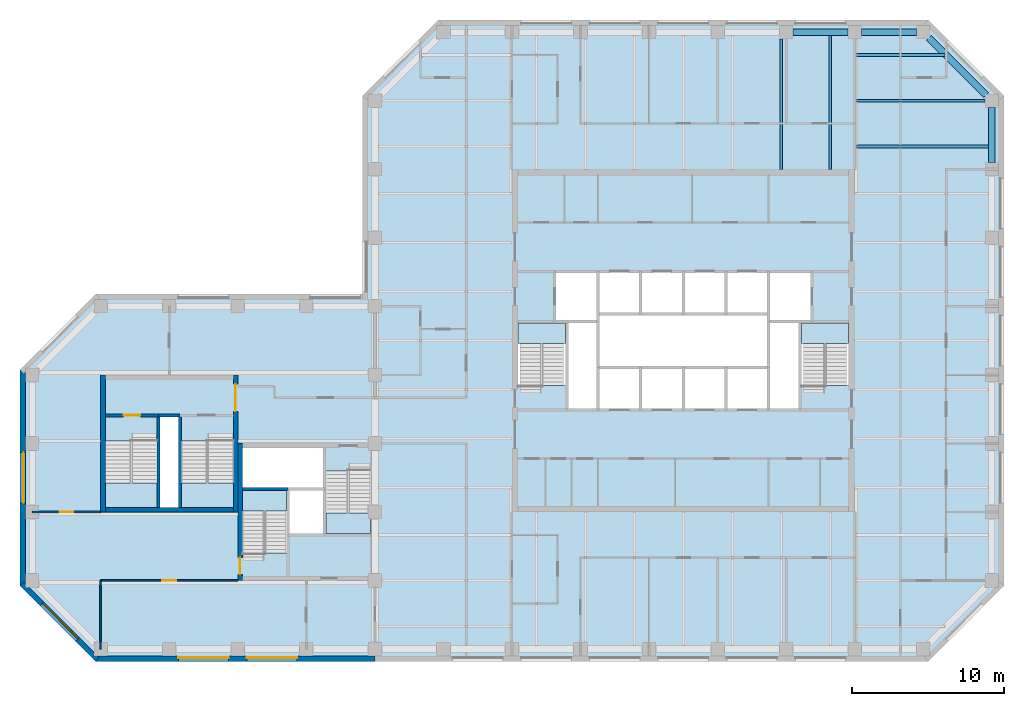
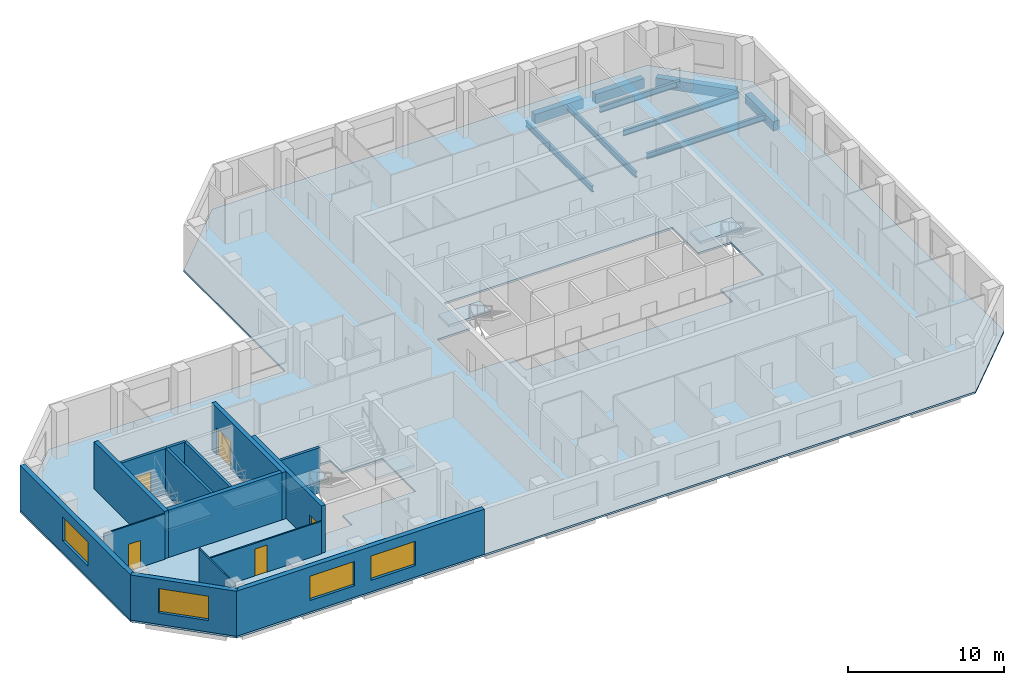
# One storey, part 2 of 9: 15 walls, 9 beams, 7 slabs, 5 doors, 4 windows, 9 openings, 6 elements without a shape of their own.
"""IFC4 building model written with IfcOpenShell, lengths in metres."""

from ifc_helpers import new_model, si_unit, direction, frame, frame_2d, origin, origin_2d, place, context, subcontext, project, spatial, polyline, rectangle, i_section, outline, extrude, material, layer, layer_set, constituent, constituent_set, material_profile, profile_set, type_object, element, fill, aggregate, save


model = new_model("IFC4")

# Units and contexts
model_context = context("Model", 3, precision=1e-05, world=origin(), true_north=direction((0.0, 1.0)))
body_context = subcontext(model_context, "Body", "Model", "MODEL_VIEW")
ifc_project = project(units=[si_unit("LENGTHUNIT", "METRE"), si_unit("AREAUNIT", "SQUARE_METRE"), si_unit("VOLUMEUNIT", "CUBIC_METRE"), si_unit("PLANEANGLEUNIT", "RADIAN"), si_unit("MASSUNIT", "GRAM", prefix="KILO")], contexts=[model_context])

# Site, building, storey
site_placement = place(None, origin())
site = spatial("IfcSite", under=ifc_project, at=site_placement, CompositionType="ELEMENT")
building_placement = place(site_placement, origin())
building = spatial("IfcBuilding", under=site, at=building_placement, Name="Quoin Convention Tower", CompositionType="ELEMENT")
storey_placement = place(building_placement, frame((0.0, 0.0, 151.39990234375)))
storey = spatial("IfcBuildingStorey", under=building, at=storey_placement, Name="L39", CompositionType="ELEMENT", Elevation=151.39990234375)

# Beams
ifc_material_1 = material(Name="Steel Grade 300", Category="steel")
ifc_material_profile_1 = material_profile(ifc_material_1, i_section(OverallWidth=0.18994140625, OverallDepth=0.4541015625, WebThickness=0.008544921875, FlangeThickness=0.0126953125, FilletRadius=0.011474609375, at=origin_2d()), Name="460UB67.1")
ifc_profile_set_1 = profile_set([ifc_material_profile_1], Name="Steel Grade 300")
beam_type_1 = type_object("IfcBeamType", Name="460UB67.1", PredefinedType="BEAM", material=ifc_profile_set_1)
beam_1_placement = place(storey_placement, frame((62.6787109375, 72.0, -0.376953125), z_axis=(0.0, 1.0, 0.0), x_axis=(-1.0, 0.0, 0.0)))
element("IfcBeam", 1, at=beam_1_placement, inside=storey, type_object=beam_type_1, Name="bm-L39-T1N5", PredefinedType="BEAM", context=body_context, shape_type="SweptSolid", body=[
    extrude(i_section(OverallWidth=0.18994140625, OverallDepth=0.4541015625, WebThickness=0.008544921875, FlangeThickness=0.0126953125, FilletRadius=0.011474609375, at=origin_2d()), origin(), (0.0, 0.0, 1.0), 8.550048828125),
])
beam_2_placement = place(storey_placement, frame((65.892822265625, 72.0, -0.376953125), z_axis=(0.0, 1.0, 0.0), x_axis=(-1.0, 0.0, 0.0)))
element("IfcBeam", 2, at=beam_2_placement, inside=storey, type_object=beam_type_1, Name="bm-L39-T1N6", PredefinedType="BEAM", context=body_context, shape_type="SweptSolid", body=[
    extrude(i_section(OverallWidth=0.18994140625, OverallDepth=0.4541015625, WebThickness=0.008544921875, FlangeThickness=0.0126953125, FilletRadius=0.011474609375, at=origin_2d()), origin(), (0.0, 0.0, 1.0), 8.77490234375),
])
beam_3_placement = place(storey_placement, frame((67.5, 79.5, -0.376953125), z_axis=(1.0, 0.0, 0.0), x_axis=(0.0, 1.0, 0.0)))
element("IfcBeam", 3, at=beam_3_placement, inside=storey, type_object=beam_type_1, Name="bm-L39-T1NE0", PredefinedType="BEAM", context=body_context, shape_type="SweptSolid", body=[
    extrude(i_section(OverallWidth=0.18994140625, OverallDepth=0.4541015625, WebThickness=0.008544921875, FlangeThickness=0.0126953125, FilletRadius=0.011474609375, at=origin_2d()), origin(), (0.0, 0.0, 1.0), 5.935791015625),
])
beam_4_placement = place(storey_placement, frame((67.5, 76.5, -0.376953125), z_axis=(1.0, 0.0, 0.0), x_axis=(0.0, 1.0, 0.0)))
element("IfcBeam", 4, at=beam_4_placement, inside=storey, type_object=beam_type_1, Name="bm-L39-T1NE1", PredefinedType="BEAM", context=body_context, shape_type="SweptSolid", body=[
    extrude(i_section(OverallWidth=0.18994140625, OverallDepth=0.4541015625, WebThickness=0.008544921875, FlangeThickness=0.0126953125, FilletRadius=0.011474609375, at=origin_2d()), origin(), (0.0, 0.0, 1.0), 8.550048828125),
])
beam_5_placement = place(storey_placement, frame((67.5, 73.5, -0.376953125), z_axis=(1.0, 0.0, 0.0), x_axis=(0.0, 1.0, 0.0)))
element("IfcBeam", 5, at=beam_5_placement, inside=storey, type_object=beam_type_1, Name="bm-L39-T1NE2", PredefinedType="BEAM", context=body_context, shape_type="SweptSolid", body=[
    extrude(i_section(OverallWidth=0.18994140625, OverallDepth=0.4541015625, WebThickness=0.008544921875, FlangeThickness=0.0126953125, FilletRadius=0.011474609375, at=origin_2d()), origin(), (0.0, 0.0, 1.0), 8.77490234375),
])
ifc_material_2 = material(Name="Concrete C50", Category="concrete")
ifc_material_profile_2 = material_profile(ifc_material_2, rectangle(XDim=0.449951171875, YDim=0.75, at=origin_2d()), Name="RC 450x750")
ifc_profile_set_2 = profile_set([ifc_material_profile_2], Name="Concrete C50")
beam_type_2 = type_object("IfcBeamType", Name="RC 450x750 C50", PredefinedType="SPANDREL", material=ifc_profile_set_2)
beam_6_placement = place(storey_placement, frame((76.5, 72.449951171875, -0.52490234375), z_axis=(0.0, 1.0, 0.0), x_axis=(-1.0, 0.0, 0.0)))
element("IfcBeam", 6, at=beam_6_placement, inside=storey, type_object=beam_type_2, Name="spd-L39-76500_72000-76500_76500", PredefinedType="SPANDREL", context=body_context, shape_type="SweptSolid", body=[
    extrude(rectangle(XDim=0.449951171875, YDim=0.75, at=origin_2d()), origin(), (0.0, 0.0, 1.0), 3.60009765625),
])
beam_7_placement = place(storey_placement, frame((76.135009765625, 76.864990234375, -0.52490234375), z_axis=(-0.707106781187, 0.707106781187, 0.0), x_axis=(-0.707106781187, -0.707106781187, 0.0)))
element("IfcBeam", 7, at=beam_7_placement, inside=storey, type_object=beam_type_2, Name="spd-L39-76500_76500-72000_81000", PredefinedType="SPANDREL", context=body_context, shape_type="SweptSolid", body=[
    extrude(rectangle(XDim=0.449951171875, YDim=0.75, at=origin_2d()), origin(), (0.0, 0.0, 1.0), 5.33154296875),
])
for number, where, z_axis, x_axis, name in (
    (8, (71.550048828125, 81.0, -0.52490234375), (-1.0, 0.0, 0.0), (0.0, -1.0, 0.0), "spd-L39-72000_81000-67500_81000"),
    (9, (67.050048828125, 81.0, -0.52490234375), (-1.0, 0.0, 0.0), (0.0, -1.0, 0.0), "spd-L39-67500_81000-63000_81000"),
):
    element("IfcBeam", number, at=place(storey_placement, frame(where, z_axis=z_axis, x_axis=x_axis)), inside=storey, type_object=beam_type_2, Name=name, PredefinedType="SPANDREL", context=body_context, shape_type="SweptSolid", body=[
        extrude(rectangle(XDim=0.449951171875, YDim=0.75, at=origin_2d()), origin(), (0.0, 0.0, 1.0), 3.60009765625),
    ])

# Slab
ifc_material_3 = material(Name="Concrete C40", Category="concrete")
ifc_layer_1 = layer(ifc_material_3, 0.14990234375)
ifc_layer_set_1 = layer_set([ifc_layer_1], Name="Concrete C40")
slab_type_1 = type_object("IfcSlabType", Name="COMPOSITE SLAB 150 C40", PredefinedType="FLOOR", material=ifc_layer_set_1)
slab_1_placement = place(storey_placement, frame((0.0, 0.0, -0.14990234375)))
element("IfcSlab", 10, at=slab_1_placement, inside=storey, type_object=slab_type_1, Name="slb-L39", PredefinedType="FLOOR", context=body_context, shape_type="SweptSolid", body=[
    extrude(outline(polyline([(17.668701171875, 39.699951171875), (12.699951171875, 44.668701171875), (12.699951171875, 58.831298828125), (17.668701171875, 63.800048828125), (35.199951171875, 63.800048828125), (35.199951171875, 76.831298828125), (40.168701171875, 81.800048828125), (72.331298828125, 81.800048828125), (77.300048828125, 76.831298828125), (77.300048828125, 44.668701171875), (72.331298828125, 39.699951171875), (17.668701171875, 39.699951171875)]), holes=[polyline([(27.300048828125, 51.0), (27.300048828125, 46.800537109375), (30.300048828125, 46.800537109375), (30.300048828125, 48.0), (32.699951171875, 48.0), (35.699951171875, 48.0), (35.699951171875, 52.199462890625), (32.699951171875, 52.199462890625), (32.699951171875, 53.699951171875), (27.300048828125, 53.699951171875), (27.300048828125, 51.0)]), polyline([(18.300048828125, 49.800048828125), (21.800048828125, 49.800048828125), (23.199951171875, 49.800048828125), (26.699951171875, 49.800048828125), (26.699951171875, 54.1494140625), (23.199951171875, 54.1494140625), (23.199951171875, 55.85009765625), (21.800048828125, 55.85009765625), (21.800048828125, 54.1494140625), (18.300048828125, 54.1494140625), (18.300048828125, 49.800048828125)]), polyline([(48.60009765625, 56.199951171875), (50.64990234375, 56.199951171875), (53.449951171875, 56.199951171875), (56.25, 56.199951171875), (59.050048828125, 56.199951171875), (61.85009765625, 56.199951171875), (63.89990234375, 56.199951171875), (63.89990234375, 57.800537109375), (67.10009765625, 57.800537109375), (67.10009765625, 62.0), (64.699951171875, 62.0), (64.699951171875, 65.300048828125), (61.85009765625, 65.300048828125), (59.050048828125, 65.300048828125), (56.25, 65.300048828125), (53.449951171875, 65.300048828125), (50.64990234375, 65.300048828125), (47.800048828125, 65.300048828125), (47.800048828125, 62.0), (45.39990234375, 62.0), (45.39990234375, 57.800537109375), (48.60009765625, 57.800537109375), (48.60009765625, 56.199951171875)])]), origin(), (0.0, 0.0, 1.0), 0.14990234375),
])

# Stair, slab
stair_type_1 = type_object("IfcStairType", Name="Exit stair two-flight 1350", PredefinedType="HALF_TURN_STAIR", material=ifc_material_3)
stair_1_placement = place(storey_placement, origin())
stair_1 = element("IfcStair", 11, at=stair_1_placement, inside=storey, type_object=stair_type_1, Name="SD1 L39", PredefinedType="HALF_TURN_STAIR")
ifc_layer_2 = layer(ifc_material_3, 0.199951171875)
ifc_layer_set_2 = layer_set([ifc_layer_2], Name="Concrete C40")
slab_type_2 = type_object("IfcSlabType", Name="Stair landing 200", PredefinedType="LANDING", material=ifc_layer_set_2)
slab_2_placement = place(storey_placement, frame((0.0, 0.0, 1.79248046875)))
slab_2 = element("IfcSlab", 12, at=slab_2_placement, type_object=slab_type_2, Name="ST1 landing 1", PredefinedType="LANDING", context=body_context, shape_type="SweptSolid", body=[
    extrude(outline(polyline([(45.39990234375, 60.550048828125), (48.5, 60.550048828125), (48.5, 61.89990234375), (45.39990234375, 61.89990234375), (45.39990234375, 60.550048828125)])), origin(), (0.0, 0.0, 1.0), 0.199951171875),
])
aggregate(stair_1, [slab_2])

stair_2_placement = place(storey_placement, origin())
stair_2 = element("IfcStair", 13, at=stair_2_placement, inside=storey, type_object=stair_type_1, Name="SD2 L39", PredefinedType="HALF_TURN_STAIR")
slab_3_placement = place(storey_placement, frame((0.0, 0.0, 1.79248046875)))
slab_3 = element("IfcSlab", 14, at=slab_3_placement, type_object=slab_type_2, Name="ST2 landing 1", PredefinedType="LANDING", context=body_context, shape_type="SweptSolid", body=[
    extrude(outline(polyline([(64.0, 60.550048828125), (67.10009765625, 60.550048828125), (67.10009765625, 61.89990234375), (64.0, 61.89990234375), (64.0, 60.550048828125)])), origin(), (0.0, 0.0, 1.0), 0.199951171875),
])
aggregate(stair_2, [slab_3])

stair_3_placement = place(storey_placement, origin())
stair_3 = element("IfcStair", 15, at=stair_3_placement, inside=storey, type_object=stair_type_1, Name="SD3 L39", PredefinedType="HALF_TURN_STAIR")
slab_4_placement = place(storey_placement, frame((0.0, 0.0, 1.79248046875)))
slab_4 = element("IfcSlab", 16, at=slab_4_placement, type_object=slab_type_2, Name="ST3 landing 1", PredefinedType="LANDING", context=body_context, shape_type="SweptSolid", body=[
    extrude(outline(polyline([(27.300048828125, 49.550048828125), (30.199951171875, 49.550048828125), (30.199951171875, 50.89990234375), (27.300048828125, 50.89990234375), (27.300048828125, 49.550048828125)])), origin(), (0.0, 0.0, 1.0), 0.199951171875),
])
aggregate(stair_3, [slab_4])

stair_4_placement = place(storey_placement, origin())
stair_4 = element("IfcStair", 17, at=stair_4_placement, inside=storey, type_object=stair_type_1, Name="SD4 L39", PredefinedType="HALF_TURN_STAIR")
slab_5_placement = place(storey_placement, frame((0.0, 0.0, 1.79248046875)))
slab_5 = element("IfcSlab", 18, at=slab_5_placement, type_object=slab_type_2, Name="ST4 landing 1", PredefinedType="LANDING", context=body_context, shape_type="SweptSolid", body=[
    extrude(outline(polyline([(35.699951171875, 49.449951171875), (32.800048828125, 49.449951171875), (32.800048828125, 48.10009765625), (35.699951171875, 48.10009765625), (35.699951171875, 49.449951171875)])), origin(), (0.0, 0.0, 1.0), 0.199951171875),
])
aggregate(stair_4, [slab_5])

stair_type_2 = type_object("IfcStairType", Name="Exit stair two-flight 1600", PredefinedType="HALF_TURN_STAIR", material=ifc_material_3)
stair_5_placement = place(storey_placement, origin())
stair_5 = element("IfcStair", 19, at=stair_5_placement, inside=storey, type_object=stair_type_2, Name="SD11 L39", PredefinedType="HALF_TURN_STAIR")
slab_6_placement = place(storey_placement, frame((0.0, 0.0, 1.79248046875)))
slab_6 = element("IfcSlab", 20, at=slab_6_placement, type_object=slab_type_2, Name="ST11 landing 1", PredefinedType="LANDING", context=body_context, shape_type="SweptSolid", body=[
    extrude(outline(polyline([(21.699951171875, 51.39990234375), (18.300048828125, 51.39990234375), (18.300048828125, 49.800048828125), (21.699951171875, 49.800048828125), (21.699951171875, 51.39990234375)])), origin(), (0.0, 0.0, 1.0), 0.199951171875),
])
aggregate(stair_5, [slab_6])

stair_6_placement = place(storey_placement, origin())
stair_6 = element("IfcStair", 21, at=stair_6_placement, inside=storey, type_object=stair_type_2, Name="SD12 L39", PredefinedType="HALF_TURN_STAIR")
slab_7_placement = place(storey_placement, frame((0.0, 0.0, 1.79248046875)))
slab_7 = element("IfcSlab", 22, at=slab_7_placement, type_object=slab_type_2, Name="ST12 landing 1", PredefinedType="LANDING", context=body_context, shape_type="SweptSolid", body=[
    extrude(outline(polyline([(26.699951171875, 51.39990234375), (23.300048828125, 51.39990234375), (23.300048828125, 49.800048828125), (26.699951171875, 49.800048828125), (26.699951171875, 51.39990234375)])), origin(), (0.0, 0.0, 1.0), 0.199951171875),
])
aggregate(stair_6, [slab_7])

# Wall, opening, window
ifc_material_4 = material(Name="Brick masonry", Category="masonry")
ifc_layer_3 = layer(ifc_material_4, 0.35009765625)
ifc_layer_set_3 = layer_set([ifc_layer_3], Name="Brick masonry")
wall_type_1 = type_object("IfcWallType", Name="Brick facade wall", PredefinedType="STANDARD", material=ifc_layer_set_3)
wall_1_placement = place(storey_placement, frame((12.875, 58.831298828125, 0.0), z_axis=(0.0, 0.0, 1.0), x_axis=(0.0, -1.0, 0.0)))
wall_1 = element("IfcWall", 23, at=wall_1_placement, inside=storey, type_object=wall_type_1, Name="fw-L39-13500_58500", PredefinedType="STANDARD", context=body_context, shape_type="SweptSolid", body=[
    extrude(rectangle(XDim=14.16259765625, YDim=0.35009765625, at=frame_2d((7.081298828125, 0.0))), origin(), (0.0, 0.0, 1.0), 3.525146484375),
])
opening_1_placement = place(wall_1_placement, frame((5.431396484375, 0.0, 0.89990234375)))
opening_1 = element("IfcOpeningElement", 24, at=opening_1_placement, cuts=wall_1, Name="Opening W-02", PredefinedType="OPENING", context=body_context, shape_type="SweptSolid", body=[
    extrude(rectangle(XDim=3.300048828125, YDim=1.89990234375, at=frame_2d((1.64990234375, 0.949951171875))), frame((0.0, 0.18505859375, 0.0), z_axis=(0.0, -1.0, 0.0), x_axis=(1.0, 0.0, 0.0)), (0.0, 0.0, 1.0), 0.3701171875),
])
ifc_material_5 = material(Name="Aluminium", Category="aluminium")
ifc_constituent_1 = constituent(ifc_material_5, Name="Frame")
ifc_material_6 = material(Name="Insulated glass", Category="glass")
ifc_constituent_2 = constituent(ifc_material_6, Name="Glazing")
ifc_constituent_set = constituent_set(constituents=[ifc_constituent_1, ifc_constituent_2], Name="Aluminium")
window_type = type_object("IfcWindowType", Name="Office window", PartitioningType="DOUBLE_PANEL_VERTICAL", PredefinedType="WINDOW", material=ifc_constituent_set)
window_1_placement = place(opening_1_placement, origin())
window_1 = element("IfcWindow", 25, at=window_1_placement, inside=storey, type_object=window_type, Name="win-L39-12875_51750", OverallHeight=1.89990234375, OverallWidth=3.300048828125, PartitioningType="SINGLE_PANEL", PredefinedType="WINDOW", context=body_context, shape_type="SweptSolid", body=[
    extrude(rectangle(XDim=3.300048828125, YDim=1.89990234375, at=frame_2d((1.64990234375, 0.949951171875))), frame((0.0, 0.0849609375, 0.0), z_axis=(0.0, -1.0, 0.0), x_axis=(1.0, 0.0, 0.0)), (0.0, 0.0, 1.0), 0.06005859375),
])
fill(opening_1, window_1)

wall_2_placement = place(storey_placement, frame((12.82373046875, 44.79248046875, 0.0), z_axis=(0.0, 0.0, 1.0), x_axis=(0.707106781187, -0.707106781187, 0.0)))
wall_2 = element("IfcWall", 26, at=wall_2_placement, inside=storey, type_object=wall_type_1, Name="fw-L39-13500_45000", PredefinedType="STANDARD", context=body_context, shape_type="SweptSolid", body=[
    extrude(rectangle(XDim=7.02685546875, YDim=0.35009765625, at=frame_2d((3.513427734375, 0.0))), origin(), (0.0, 0.0, 1.0), 3.525146484375),
])
opening_2_placement = place(wall_2_placement, frame((1.86328125, 0.0, 0.89990234375)))
opening_2 = element("IfcOpeningElement", 27, at=opening_2_placement, cuts=wall_2, Name="Opening W-02", PredefinedType="OPENING", context=body_context, shape_type="SweptSolid", body=[
    extrude(rectangle(XDim=3.300048828125, YDim=1.89990234375, at=frame_2d((1.64990234375, 0.949951171875))), frame((0.0, 0.18505859375, 0.0), z_axis=(0.0, -1.0, 0.0), x_axis=(1.0, 0.0, 0.0)), (0.0, 0.0, 1.0), 0.3701171875),
])
window_2_placement = place(opening_2_placement, origin())
window_2 = element("IfcWindow", 28, at=window_2_placement, inside=storey, type_object=window_type, Name="win-L39-15308_42308", OverallHeight=1.89990234375, OverallWidth=3.300048828125, PartitioningType="SINGLE_PANEL", PredefinedType="WINDOW", context=body_context, shape_type="SweptSolid", body=[
    extrude(rectangle(XDim=3.300048828125, YDim=1.89990234375, at=frame_2d((1.64990234375, 0.949951171875))), frame((0.0, 0.0849609375, 0.0), z_axis=(0.0, -1.0, 0.0), x_axis=(1.0, 0.0, 0.0)), (0.0, 0.0, 1.0), 0.06005859375),
])
fill(opening_2, window_2)

# Wall, openings, windows
wall_3_placement = place(storey_placement, frame((17.668701171875, 39.875, 0.0), z_axis=(0.0, 0.0, 1.0), x_axis=(1.0, 0.0, 0.0)))
wall_3 = element("IfcWall", 29, at=wall_3_placement, inside=storey, type_object=wall_type_1, Name="fw-L39-18000_40500", PredefinedType="STANDARD", context=body_context, shape_type="SweptSolid", body=[
    extrude(rectangle(XDim=18.331298828125, YDim=0.35009765625, at=frame_2d((9.16552734375, 0.0))), origin(), (0.0, 0.0, 1.0), 3.525146484375),
])
opening_3_placement = place(wall_3_placement, frame((5.431396484375, 0.0, 0.89990234375)))
opening_3 = element("IfcOpeningElement", 30, at=opening_3_placement, cuts=wall_3, Name="Opening W-02", PredefinedType="OPENING", context=body_context, shape_type="SweptSolid", body=[
    extrude(rectangle(XDim=3.300048828125, YDim=1.89990234375, at=frame_2d((1.64990234375, 0.949951171875))), frame((0.0, 0.18505859375, 0.0), z_axis=(0.0, -1.0, 0.0), x_axis=(1.0, 0.0, 0.0)), (0.0, 0.0, 1.0), 0.3701171875),
])
opening_4_placement = place(wall_3_placement, frame((9.931396484375, 0.0, 0.89990234375)))
opening_4 = element("IfcOpeningElement", 31, at=opening_4_placement, cuts=wall_3, Name="Opening W-02", PredefinedType="OPENING", context=body_context, shape_type="SweptSolid", body=[
    extrude(rectangle(XDim=3.300048828125, YDim=1.89990234375, at=frame_2d((1.64990234375, 0.949951171875))), frame((0.0, 0.18505859375, 0.0), z_axis=(0.0, -1.0, 0.0), x_axis=(1.0, 0.0, 0.0)), (0.0, 0.0, 1.0), 0.3701171875),
])
window_3_placement = place(opening_3_placement, origin())
window_3 = element("IfcWindow", 32, at=window_3_placement, inside=storey, type_object=window_type, Name="win-L39-24750_39875", OverallHeight=1.89990234375, OverallWidth=3.300048828125, PartitioningType="SINGLE_PANEL", PredefinedType="WINDOW", context=body_context, shape_type="SweptSolid", body=[
    extrude(rectangle(XDim=3.300048828125, YDim=1.89990234375, at=frame_2d((1.64990234375, 0.949951171875))), frame((0.0, 0.0849609375, 0.0), z_axis=(0.0, -1.0, 0.0), x_axis=(1.0, 0.0, 0.0)), (0.0, 0.0, 1.0), 0.06005859375),
])
fill(opening_3, window_3)
window_4_placement = place(opening_4_placement, origin())
window_4 = element("IfcWindow", 33, at=window_4_placement, inside=storey, type_object=window_type, Name="win-L39-29250_39875", OverallHeight=1.89990234375, OverallWidth=3.300048828125, PartitioningType="SINGLE_PANEL", PredefinedType="WINDOW", context=body_context, shape_type="SweptSolid", body=[
    extrude(rectangle(XDim=3.300048828125, YDim=1.89990234375, at=frame_2d((1.64990234375, 0.949951171875))), frame((0.0, 0.0849609375, 0.0), z_axis=(0.0, -1.0, 0.0), x_axis=(1.0, 0.0, 0.0)), (0.0, 0.0, 1.0), 0.06005859375),
])
fill(opening_4, window_4)

# Walls
ifc_layer_4 = layer(ifc_material_2, 0.199951171875)
ifc_layer_set_4 = layer_set([ifc_layer_4], Name="Concrete C50")
wall_type_2 = type_object("IfcWallType", Name="Core shaft wall", PredefinedType="SOLIDWALL", material=ifc_layer_set_4)
wall_4_placement = place(storey_placement, frame((27.300048828125, 51.0, 0.0), z_axis=(0.0, 0.0, 1.0), x_axis=(1.0, 0.0, 0.0)))
element("IfcWall", 34, at=wall_4_placement, inside=storey, type_object=wall_type_2, Name="cr-P2-L39-h6000_300", PredefinedType="SOLIDWALL", context=body_context, shape_type="SweptSolid", body=[
    extrude(rectangle(XDim=3.0, YDim=0.199951171875, at=frame_2d((1.5, 0.0))), origin(), (0.0, 0.0, 1.0), 3.550048828125),
])
wall_5_placement = place(storey_placement, frame((21.800048828125, 55.85009765625, 0.0), z_axis=(0.0, 0.0, 1.0), x_axis=(1.0, 0.0, 0.0)))
element("IfcWall", 35, at=wall_5_placement, inside=storey, type_object=wall_type_2, Name="cr-P6-L39-h6350_3800", PredefinedType="SOLIDWALL", context=body_context, shape_type="SweptSolid", body=[
    extrude(rectangle(XDim=1.39990234375, YDim=0.199951171875, at=frame_2d((0.699951171875, 0.0))), origin(), (0.0, 0.0, 1.0), 3.550048828125),
])

# Wall, opening, door
wall_6_placement = place(storey_placement, frame((18.300048828125, 55.85009765625, 0.0), z_axis=(0.0, 0.0, 1.0), x_axis=(1.0, 0.0, 0.0)))
wall_6 = element("IfcWall", 36, at=wall_6_placement, inside=storey, type_object=wall_type_2, Name="cr-P6-L39-h6350_300", PredefinedType="SOLIDWALL", context=body_context, shape_type="SweptSolid", body=[
    extrude(rectangle(XDim=3.5, YDim=0.199951171875, at=frame_2d((1.75, 0.0))), origin(), (0.0, 0.0, 1.0), 3.550048828125),
])
opening_5_placement = place(wall_6_placement, frame((1.199951171875, 0.0, 0.0)))
opening_5 = element("IfcOpeningElement", 37, at=opening_5_placement, cuts=wall_6, Name="Opening SD11", PredefinedType="OPENING", context=body_context, shape_type="SweptSolid", body=[
    extrude(rectangle(XDim=1.10009765625, YDim=2.10009765625, at=frame_2d((0.550048828125, 1.050048828125))), frame((0.0, 0.10986328125, 0.0), z_axis=(0.0, -1.0, 0.0), x_axis=(1.0, 0.0, 0.0)), (0.0, 0.0, 1.0), 0.219970703125),
])
ifc_material_7 = material(Name="Steel door leaf", Category="steel")
door_type_1 = type_object("IfcDoorType", Name="Stair door 1100 x 2100", OperationType="SINGLE_SWING_RIGHT", PredefinedType="DOOR", material=ifc_material_7)
door_1_placement = place(opening_5_placement, origin())
door_1 = element("IfcDoor", 38, at=door_1_placement, inside=storey, type_object=door_type_1, Name="cd-P6-L39-SA-R2-SD11", OperationType="SINGLE_SWING_RIGHT", OverallHeight=2.10009765625, OverallWidth=1.10009765625, PredefinedType="DOOR", context=body_context, shape_type="SweptSolid", body=[
    extrude(rectangle(XDim=1.10009765625, YDim=2.10009765625, at=frame_2d((0.550048828125, 1.050048828125))), frame((0.0, 0.02490234375, 0.0), z_axis=(0.0, -1.0, 0.0), x_axis=(1.0, 0.0, 0.0)), (0.0, 0.0, 1.0), 0.050048828125),
])
fill(opening_5, door_1)

# Walls
for number, where, z_axis, x_axis, name in (
    (39, (21.800048828125, 49.800048828125, 0.0), (0.0, 0.0, 1.0), (0.0, 1.0, 0.0), "cr-P6-L39-v3800_300"),
    (40, (23.199951171875, 49.800048828125, 0.0), (0.0, 0.0, 1.0), (0.0, 1.0, 0.0), "cr-P6-L39-v5200_300"),
):
    element("IfcWall", number, at=place(storey_placement, frame(where, z_axis=z_axis, x_axis=x_axis)), inside=storey, type_object=wall_type_2, Name=name, PredefinedType="SOLIDWALL", context=body_context, shape_type="SweptSolid", body=[
        extrude(rectangle(XDim=6.050048828125, YDim=0.199951171875, at=frame_2d((3.02490234375, 0.0))), origin(), (0.0, 0.0, 1.0), 3.550048828125),
    ])

# Wall, opening, door
ifc_layer_5 = layer(ifc_material_2, 0.300048828125)
ifc_layer_set_5 = layer_set([ifc_layer_5], Name="Concrete C50")
wall_type_3 = type_object("IfcWallType", Name="RC CORE WALL 300 C50", PredefinedType="SHEAR", material=ifc_layer_set_5)
wall_7_placement = place(storey_placement, frame((27.14990234375, 45.0, 0.0), z_axis=(0.0, 0.0, 1.0), x_axis=(0.0, 1.0, 0.0)))
wall_7 = element("IfcWall", 41, at=wall_7_placement, inside=storey, type_object=wall_type_3, Name="cwl-P2-L39-W", PredefinedType="SHEAR", context=body_context, shape_type="SweptSolid", body=[
    extrude(rectangle(XDim=9.0, YDim=0.300048828125, at=frame_2d((4.5, 0.0))), origin(), (0.0, 0.0, 1.0), 3.7001953125),
])
opening_6_placement = place(wall_7_placement, frame((0.39990234375, 0.0, 0.0)))
opening_6 = element("IfcOpeningElement", 42, at=opening_6_placement, cuts=wall_7, Name="Opening SD3", PredefinedType="OPENING", context=body_context, shape_type="SweptSolid", body=[
    extrude(rectangle(XDim=1.10009765625, YDim=2.10009765625, at=frame_2d((0.550048828125, 1.050048828125))), frame((0.0, 0.159912109375, 0.0), z_axis=(0.0, -1.0, 0.0), x_axis=(1.0, 0.0, 0.0)), (0.0, 0.0, 1.0), 0.320068359375),
])
door_2_placement = place(opening_6_placement, frame((1.10009765625, 0.0, 0.0), z_axis=(0.0, 0.0, 1.0), x_axis=(-1.0, 0.0, 0.0)))
door_2 = element("IfcDoor", 43, at=door_2_placement, inside=storey, type_object=door_type_1, Name="cd-P2-L39-SA-W", OperationType="SINGLE_SWING_RIGHT", OverallHeight=2.10009765625, OverallWidth=1.10009765625, PredefinedType="DOOR", context=body_context, shape_type="SweptSolid", body=[
    extrude(rectangle(XDim=1.10009765625, YDim=2.10009765625, at=frame_2d((0.550048828125, 1.050048828125))), frame((0.0, 0.02490234375, 0.0), z_axis=(0.0, -1.0, 0.0), x_axis=(1.0, 0.0, 0.0)), (0.0, 0.0, 1.0), 0.050048828125),
])
fill(opening_6, door_2)

# Walls
wall_8_placement = place(storey_placement, frame((18.300048828125, 49.64990234375, 0.0), z_axis=(0.0, 0.0, 1.0), x_axis=(1.0, 0.0, 0.0)))
element("IfcWall", 44, at=wall_8_placement, inside=storey, type_object=wall_type_3, Name="cwl-P6-L39-S", PredefinedType="SHEAR", context=body_context, shape_type="SweptSolid", body=[
    extrude(rectangle(XDim=8.39990234375, YDim=0.300048828125, at=frame_2d((4.199951171875, 0.0))), origin(), (0.0, 0.0, 1.0), 3.7001953125),
])
wall_9_placement = place(storey_placement, frame((18.14990234375, 49.5, 0.0), z_axis=(0.0, 0.0, 1.0), x_axis=(0.0, 1.0, 0.0)))
element("IfcWall", 45, at=wall_9_placement, inside=storey, type_object=wall_type_3, Name="cwl-P6-L39-W", PredefinedType="SHEAR", context=body_context, shape_type="SweptSolid", body=[
    extrude(rectangle(XDim=9.0, YDim=0.300048828125, at=frame_2d((4.5, 0.0))), origin(), (0.0, 0.0, 1.0), 3.7001953125),
])

# Wall, opening, door
wall_10_placement = place(storey_placement, frame((26.85009765625, 49.5, 0.0), z_axis=(0.0, 0.0, 1.0), x_axis=(0.0, 1.0, 0.0)))
wall_10 = element("IfcWall", 46, at=wall_10_placement, inside=storey, type_object=wall_type_3, Name="cwl-P6-L39-E", PredefinedType="SHEAR", context=body_context, shape_type="SweptSolid", body=[
    extrude(rectangle(XDim=9.0, YDim=0.300048828125, at=frame_2d((4.5, 0.0))), origin(), (0.0, 0.0, 1.0), 3.7001953125),
])
opening_7_placement = place(wall_10_placement, frame((6.60009765625, 0.0, 0.0)))
opening_7 = element("IfcOpeningElement", 47, at=opening_7_placement, cuts=wall_10, Name="Opening DCV1-54", PredefinedType="OPENING", context=body_context, shape_type="SweptSolid", body=[
    extrude(rectangle(XDim=1.800048828125, YDim=2.10009765625, at=frame_2d((0.89990234375, 1.050048828125))), frame((0.0, 0.159912109375, 0.0), z_axis=(0.0, -1.0, 0.0), x_axis=(1.0, 0.0, 0.0)), (0.0, 0.0, 1.0), 0.320068359375),
])
door_type_2 = type_object("IfcDoorType", Name="Goods lobby door 1800 x 2100", OperationType="SINGLE_SWING_LEFT", PredefinedType="DOOR", material=ifc_material_7)
door_3_placement = place(opening_7_placement, origin())
door_3 = element("IfcDoor", 48, at=door_3_placement, inside=storey, type_object=door_type_2, Name="cd-P6-L39-R2-E", OperationType="SINGLE_SWING_LEFT", OverallHeight=2.10009765625, OverallWidth=1.800048828125, PredefinedType="DOOR", context=body_context, shape_type="SweptSolid", body=[
    extrude(rectangle(XDim=1.800048828125, YDim=2.10009765625, at=frame_2d((0.89990234375, 1.050048828125))), frame((0.0, 0.02490234375, 0.0), z_axis=(0.0, -1.0, 0.0), x_axis=(1.0, 0.0, 0.0)), (0.0, 0.0, 1.0), 0.050048828125),
])
fill(opening_7, door_3)

ifc_material_8 = material(Name="Plasterboard")
ifc_layer_6 = layer(ifc_material_8, 0.012451171875, Name="Finish")
ifc_material_9 = material(Name="Steel stud framing", Category="steel")
ifc_layer_7 = layer(ifc_material_9, 0.074951171875, Name="Structure")
ifc_layer_8 = layer(ifc_material_8, 0.012451171875, Name="Finish")
ifc_layer_set_6 = layer_set([ifc_layer_6, ifc_layer_7, ifc_layer_8], Name="Steel stud framing")
wall_type_4 = type_object("IfcWallType", Name="Stud partition 100", PredefinedType="PARTITIONING", material=ifc_layer_set_6)
wall_11_placement = place(storey_placement, frame((13.5, 49.5, 0.0), z_axis=(0.0, 0.0, 1.0), x_axis=(1.0, 0.0, 0.0)))
wall_11 = element("IfcWall", 49, at=wall_11_placement, inside=storey, type_object=wall_type_4, Name="pw-L39-w02", PredefinedType="PARTITIONING", context=body_context, shape_type="SweptSolid", body=[
    extrude(rectangle(XDim=4.5, YDim=0.10009765625, at=frame_2d((2.25, 0.0))), origin(), (0.0, 0.0, 1.0), 3.550048828125),
])
opening_8_placement = place(wall_11_placement, frame((1.800048828125, 0.0, 0.0)))
opening_8 = element("IfcOpeningElement", 50, at=opening_8_placement, cuts=wall_11, Name="Opening DOH1-28", PredefinedType="OPENING", context=body_context, shape_type="SweptSolid", body=[
    extrude(rectangle(XDim=0.89990234375, YDim=2.10009765625, at=frame_2d((0.449951171875, 1.050048828125))), frame((0.0, 0.06005859375, 0.0), z_axis=(0.0, -1.0, 0.0), x_axis=(1.0, 0.0, 0.0)), (0.0, 0.0, 1.0), 0.1201171875),
])
door_type_3 = type_object("IfcDoorType", Name="Office door 900 x 2100", OperationType="SINGLE_SWING_RIGHT", PredefinedType="DOOR", material=ifc_material_7)
door_4_placement = place(opening_8_placement, origin())
door_4 = element("IfcDoor", 51, at=door_4_placement, inside=storey, type_object=door_type_3, Name="dr-L39-w03", OperationType="SINGLE_SWING_RIGHT", OverallHeight=2.10009765625, OverallWidth=0.89990234375, PredefinedType="DOOR", context=body_context, shape_type="SweptSolid", body=[
    extrude(rectangle(XDim=0.89990234375, YDim=2.10009765625, at=frame_2d((0.449951171875, 1.050048828125))), frame((0.0, 0.02490234375, 0.0), z_axis=(0.0, -1.0, 0.0), x_axis=(1.0, 0.0, 0.0)), (0.0, 0.0, 1.0), 0.050048828125),
])
fill(opening_8, door_4)

# Wall
wall_12_placement = place(storey_placement, frame((18.0, 40.5, 0.0), z_axis=(0.0, 0.0, 1.0), x_axis=(0.0, 1.0, 0.0)))
element("IfcWall", 52, at=wall_12_placement, inside=storey, type_object=wall_type_4, Name="pw-L39-w03", PredefinedType="PARTITIONING", context=body_context, shape_type="SweptSolid", body=[
    extrude(rectangle(XDim=4.5, YDim=0.10009765625, at=frame_2d((2.25, 0.0))), origin(), (0.0, 0.0, 1.0), 3.550048828125),
])

# Wall, opening, door
ifc_layer_9 = layer(ifc_material_8, 0.012451171875, Name="Finish")
ifc_layer_10 = layer(ifc_material_9, 0.074951171875, Name="Structure")
ifc_layer_11 = layer(ifc_material_8, 0.012451171875, Name="Finish")
ifc_layer_set_7 = layer_set([ifc_layer_9, ifc_layer_10, ifc_layer_11], Name="Steel stud framing")
wall_type_5 = type_object("IfcWallType", Name="Stud partition 100 under beam 1000", PredefinedType="PARTITIONING", material=ifc_layer_set_7)
wall_13_placement = place(storey_placement, frame((18.0, 45.0, 0.0), z_axis=(0.0, 0.0, 1.0), x_axis=(1.0, 0.0, 0.0)))
wall_13 = element("IfcWall", 53, at=wall_13_placement, inside=storey, type_object=wall_type_5, Name="pw-L39-w04", PredefinedType="PARTITIONING", context=body_context, shape_type="SweptSolid", body=[
    extrude(rectangle(XDim=9.0, YDim=0.10009765625, at=frame_2d((4.5, 0.0))), origin(), (0.0, 0.0, 1.0), 2.550048828125),
])
opening_9_placement = place(wall_13_placement, frame((4.050048828125, 0.0, 0.0)))
opening_9 = element("IfcOpeningElement", 54, at=opening_9_placement, cuts=wall_13, Name="Opening DOH1-29", PredefinedType="OPENING", context=body_context, shape_type="SweptSolid", body=[
    extrude(rectangle(XDim=0.89990234375, YDim=2.10009765625, at=frame_2d((0.449951171875, 1.050048828125))), frame((0.0, 0.06005859375, 0.0), z_axis=(0.0, -1.0, 0.0), x_axis=(1.0, 0.0, 0.0)), (0.0, 0.0, 1.0), 0.1201171875),
])
door_5_placement = place(opening_9_placement, origin())
door_5 = element("IfcDoor", 55, at=door_5_placement, inside=storey, type_object=door_type_3, Name="dr-L39-w04", OperationType="SINGLE_SWING_RIGHT", OverallHeight=2.10009765625, OverallWidth=0.89990234375, PredefinedType="DOOR", context=body_context, shape_type="SweptSolid", body=[
    extrude(rectangle(XDim=0.89990234375, YDim=2.10009765625, at=frame_2d((0.449951171875, 1.050048828125))), frame((0.0, 0.02490234375, 0.0), z_axis=(0.0, -1.0, 0.0), x_axis=(1.0, 0.0, 0.0)), (0.0, 0.0, 1.0), 0.050048828125),
])
fill(opening_9, door_5)

save(model, "model.ifc")
